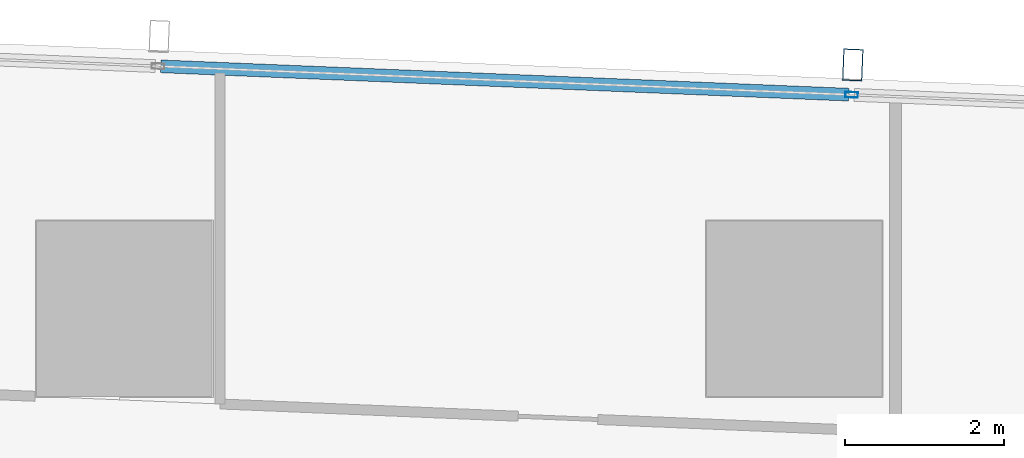
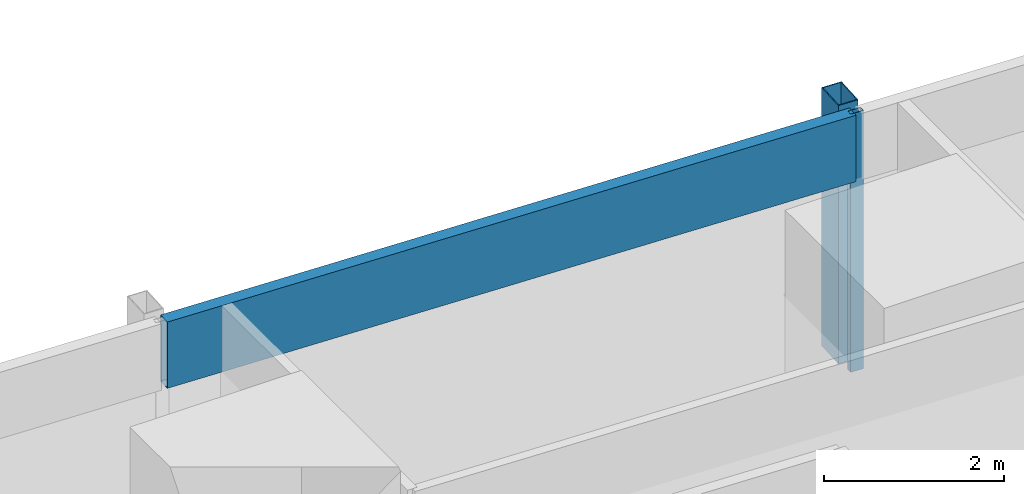
# One storey, part 21 of 45: 3 members, 1 element without a shape of its own.
"""IFC4 building model written with IfcOpenShell, lengths in metres."""

from ifc_helpers import new_model, si_unit, direction, frame, origin, origin_2d, place, context, subcontext, project, spatial, hollow_rectangle, extrude, material, material_profile, profile_set, type_object, element, aggregate, save


model = new_model("IFC4")

# Units and contexts
model_context = context("Model", 3, precision=1e-05, world=origin(), true_north=direction((0.0, 1.0)))
body_context = subcontext(model_context, "Body", "Model", "MODEL_VIEW")
ifc_project = project(units=[si_unit("LENGTHUNIT", "METRE"), si_unit("AREAUNIT", "SQUARE_METRE"), si_unit("VOLUMEUNIT", "CUBIC_METRE"), si_unit("PLANEANGLEUNIT", "RADIAN"), si_unit("MASSUNIT", "GRAM", prefix="KILO")], contexts=[model_context])

# Site, building, storey
site_placement = place(None, origin())
site = spatial("IfcSite", under=ifc_project, at=site_placement, CompositionType="ELEMENT")
building_placement = place(site_placement, origin())
building = spatial("IfcBuilding", under=site, at=building_placement, Name="Rekha Terrace Tower", CompositionType="ELEMENT")
storey_placement = place(building_placement, frame((0.0, 0.0, 44.14990234375)))
storey = spatial("IfcBuildingStorey", under=building, at=storey_placement, Name="L10", CompositionType="ELEMENT", Elevation=44.14990234375)

# Curtain wall, members
ifc_material_1 = material(Name="Aluminium framing", Category="aluminium")
curtain_wall_type = type_object("IfcCurtainWallType", Name="CW3 north unitised glazing", PredefinedType="USERDEFINED", material=ifc_material_1)
curtain_wall_placement = place(storey_placement, origin())
curtain_wall = element("IfcCurtainWall", 1, at=curtain_wall_placement, inside=storey, type_object=curtain_wall_type, Name="CW3 unitised curtain wall", ObjectType="UNITISED CURTAIN WALL", PredefinedType="USERDEFINED")
ifc_material_2 = material(Name="Steel S355 with fluorocarbon finish", Category="steel")
ifc_material_profile_1 = material_profile(ifc_material_2, hollow_rectangle(XDim=0.25, YDim=0.39990234375, WallThickness=0.012451171875, at=origin_2d()), Name="RHS400x250x12.5")
ifc_profile_set_1 = profile_set([ifc_material_profile_1], Name="Steel S355 with fluorocarbon finish")
member_type_1 = type_object("IfcMemberType", Name="BL1 facade blade RHS 400 x 250", PredefinedType="USERDEFINED", material=ifc_profile_set_1)
member_1_placement = place(storey_placement, frame((42.73388671875, 61.857421875, 0.0), z_axis=(0.0, 0.0, 1.0), x_axis=(-0.99915196507, 0.041174636562, 0.0)))
member_1 = element("IfcMember", 2, at=member_1_placement, type_object=member_type_1, Name="Facade blade", ObjectType="FACADE BLADE", PredefinedType="USERDEFINED", context=body_context, shape_type="SweptSolid", body=[
    extrude(hollow_rectangle(XDim=0.25, YDim=0.39990234375, WallThickness=0.012451171875, at=origin_2d()), origin(), (0.0, 0.0, 1.0), 3.5),
])
ifc_material_3 = material(Name="Aluminium mullion section", Category="aluminium")
ifc_material_profile_2 = material_profile(ifc_material_3, hollow_rectangle(XDim=0.070068359375, YDim=0.159912109375, WallThickness=0.00390625, at=origin_2d()), Name="AL RHS 70x160")
ifc_profile_set_2 = profile_set([ifc_material_profile_2], Name="Aluminium mullion section")
member_type_2 = type_object("IfcMemberType", Name="CW3 mullion RHS 70 x 160", PredefinedType="MULLION", material=ifc_profile_set_2)
member_2_placement = place(storey_placement, frame((42.718505859375, 61.48291015625, 0.0), z_axis=(0.0, 0.0, 1.0), x_axis=(-0.041173846041, -0.999151997647, 0.0)))
member_2 = element("IfcMember", 3, at=member_2_placement, type_object=member_type_2, Name="CW3 mullion 4", PredefinedType="MULLION", context=body_context, shape_type="SweptSolid", body=[
    extrude(hollow_rectangle(XDim=0.070068359375, YDim=0.159912109375, WallThickness=0.00390625, at=origin_2d()), origin(), (0.0, 0.0, 1.0), 3.5),
])
ifc_material_4 = material(Name="Insulated aluminium spandrel box", Category="aluminium")
ifc_material_profile_3 = material_profile(ifc_material_4, hollow_rectangle(XDim=0.159912109375, YDim=0.89990234375, WallThickness=0.0029296875, at=origin_2d()), Name="AL SPANDREL BOX 160x900")
ifc_profile_set_3 = profile_set([ifc_material_profile_3], Name="Insulated aluminium spandrel box")
member_type_3 = type_object("IfcMemberType", Name="CW3 spandrel transom 160 x 900", PredefinedType="USERDEFINED", material=ifc_profile_set_3)
member_3_placement = place(storey_placement, frame((42.68359375, 61.484375, 3.050048828125), z_axis=(-0.999152128669, 0.041170666459, 0.0), x_axis=(-0.041170666459, -0.999152128669, 0.0)))
member_3 = element("IfcMember", 4, at=member_3_placement, type_object=member_type_3, Name="CW3 spandrel transom 4", ObjectType="TRANSOM", PredefinedType="USERDEFINED", context=body_context, shape_type="SweptSolid", body=[
    extrude(hollow_rectangle(XDim=0.159912109375, YDim=0.89990234375, WallThickness=0.0029296875, at=origin_2d()), origin(), (0.0, 0.0, 1.0), 8.634033203125),
])
aggregate(curtain_wall, [member_2, member_3, member_1])

save(model, "model.ifc")
